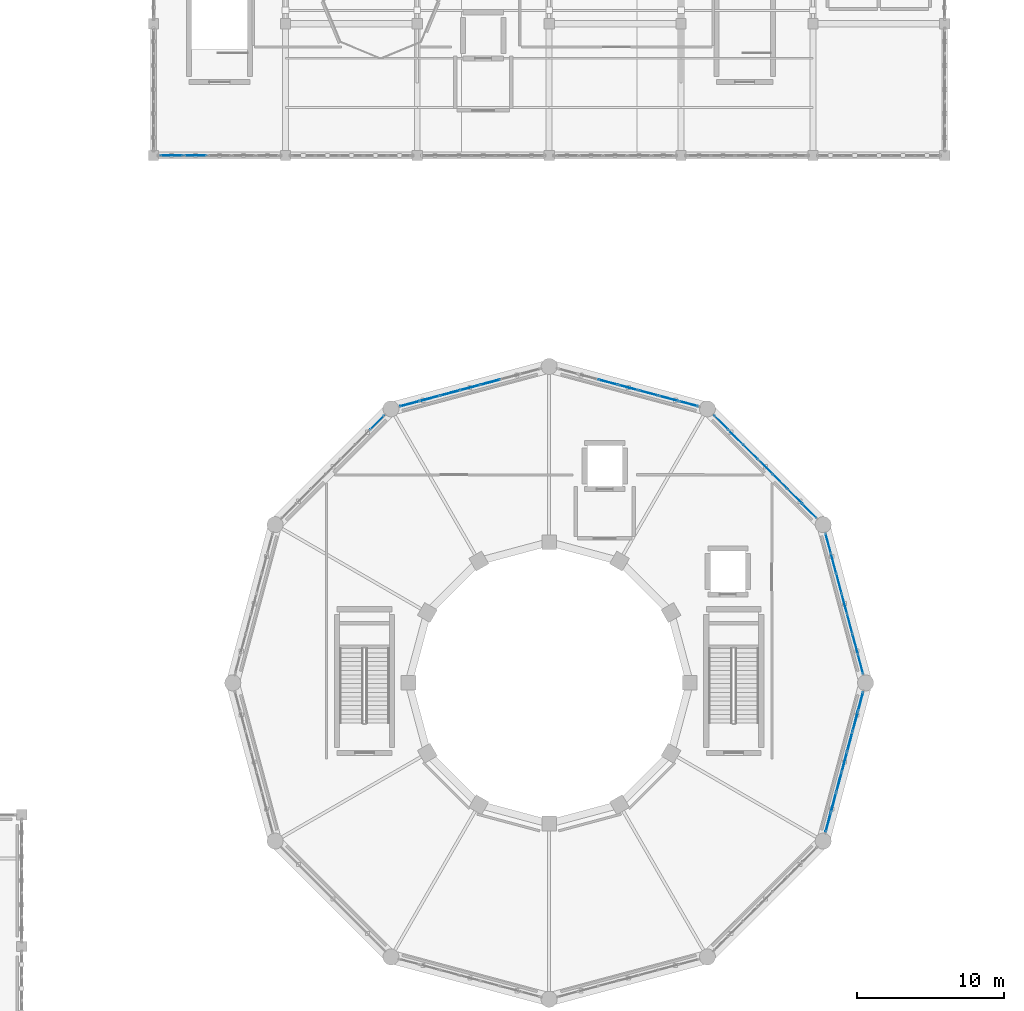
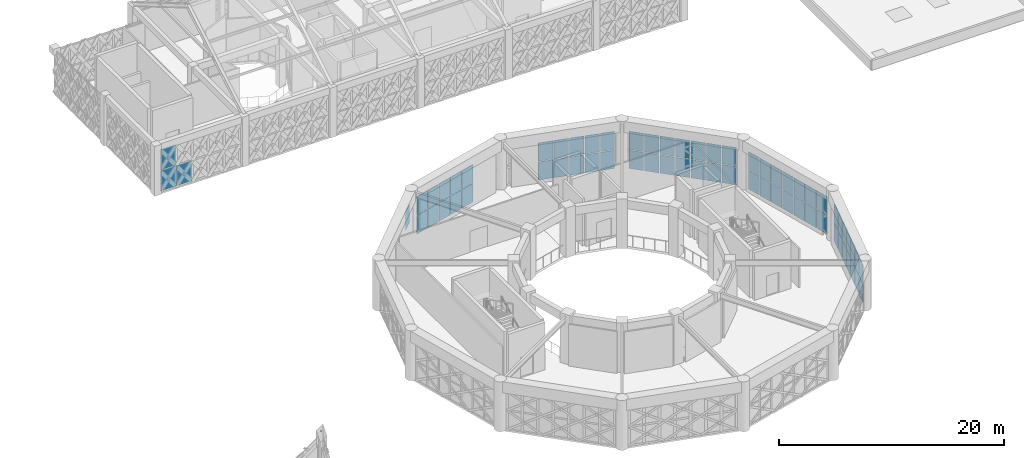
# One storey, part 60 of 72: 66 plates, 7 elements without a shape of their own.
"""IFC4 building model written with IfcOpenShell, lengths in metres."""

from ifc_helpers import new_model, si_unit, direction, frame, origin, origin_2d, place, context, subcontext, project, spatial, rectangle, extrude, material, layer, layer_set, type_object, element, aggregate, save


model = new_model("IFC4")

# Units and contexts
model_context = context("Model", 3, precision=1e-05, world=origin(), true_north=direction((0.0, 1.0)))
body_context = subcontext(model_context, "Body", "Model", "MODEL_VIEW")
ifc_project = project(units=[si_unit("LENGTHUNIT", "METRE"), si_unit("AREAUNIT", "SQUARE_METRE"), si_unit("VOLUMEUNIT", "CUBIC_METRE"), si_unit("PLANEANGLEUNIT", "RADIAN"), si_unit("MASSUNIT", "GRAM", prefix="KILO")], contexts=[model_context])

# Site, building, storey
site_placement = place(None, origin())
site = spatial("IfcSite", under=ifc_project, at=site_placement, CompositionType="ELEMENT")
building_placement = place(site_placement, origin())
building = spatial("IfcBuilding", under=site, at=building_placement, Name="Haizhuo Lancet Aquarium", CompositionType="ELEMENT")
storey_placement = place(building_placement, frame((0.0, 0.0, 21.60009765625)))
storey = spatial("IfcBuildingStorey", under=building, at=storey_placement, Name="L04", CompositionType="ELEMENT", Elevation=21.60009765625)

# Curtain wall, plates
ifc_material_1 = material(Name="Aluminium 6063-T6", Category="aluminium")
curtain_wall_type_1 = type_object("IfcCurtainWallType", Name="CWO-9990x4180", PredefinedType="NOTDEFINED", material=ifc_material_1)
curtain_wall_1_placement = place(storey_placement, origin())
curtain_wall_1 = element("IfcCurtainWall", 1, at=curtain_wall_1_placement, inside=storey, type_object=curtain_wall_type_1, Name="L04 curtain wall CW-V1-L04-01", PredefinedType="NOTDEFINED")
ifc_material_2 = material(Name="Laminated Low-E Glass", Category="glass")
ifc_layer_1 = layer(ifc_material_2, 0.028076171875)
ifc_layer_set_1 = layer_set([ifc_layer_1], Name="Laminated Low-E Glass")
plate_type_1 = type_object("IfcPlateType", Name="CW-PNL-1", PredefinedType="CURTAIN_PANEL", material=ifc_layer_set_1)
plate_1_placement = place(storey_placement, frame((19.049072265625, 9.52001953125, 0.06494140625), z_axis=(0.0, 0.0, 1.0), x_axis=(0.258852762117, -0.965916791212, 0.0)))
plate_1 = element("IfcPlate", 2, at=plate_1_placement, type_object=plate_type_1, Name="CWO-99x41 panel 1.1", PredefinedType="CURTAIN_PANEL", context=body_context, shape_type="SweptSolid", body=[
    extrude(rectangle(XDim=1.330078125, YDim=0.028076171875, at=origin_2d()), origin(), (0.0, 0.0, 1.0), 1.99609375),
])
plate_2_placement = place(storey_placement, frame((19.049072265625, 9.52001953125, 2.125244140625), z_axis=(0.0, 0.0, 1.0), x_axis=(0.258852762117, -0.965916791212, 0.0)))
plate_2 = element("IfcPlate", 3, at=plate_2_placement, type_object=plate_type_1, Name="CWO-99x41 panel 1.2", PredefinedType="CURTAIN_PANEL", context=body_context, shape_type="SweptSolid", body=[
    extrude(rectangle(XDim=1.330078125, YDim=0.028076171875, at=origin_2d()), origin(), (0.0, 0.0, 1.0), 1.9951171875),
])
plate_3_placement = place(storey_placement, frame((19.4140625, 8.156982421875, 0.06494140625), z_axis=(0.0, 0.0, 1.0), x_axis=(0.258852762117, -0.965916791212, 0.0)))
plate_3 = element("IfcPlate", 4, at=plate_3_placement, type_object=plate_type_1, Name="CWO-99x41 panel 2.1", PredefinedType="CURTAIN_PANEL", context=body_context, shape_type="SweptSolid", body=[
    extrude(rectangle(XDim=1.362060546875, YDim=0.028076171875, at=origin_2d()), origin(), (0.0, 0.0, 1.0), 1.99609375),
])
plate_4_placement = place(storey_placement, frame((19.4140625, 8.156982421875, 2.125244140625), z_axis=(0.0, 0.0, 1.0), x_axis=(0.258852762117, -0.965916791212, 0.0)))
plate_4 = element("IfcPlate", 5, at=plate_4_placement, type_object=plate_type_1, Name="CWO-99x41 panel 2.2", PredefinedType="CURTAIN_PANEL", context=body_context, shape_type="SweptSolid", body=[
    extrude(rectangle(XDim=1.362060546875, YDim=0.028076171875, at=origin_2d()), origin(), (0.0, 0.0, 1.0), 1.9951171875),
])
plate_5_placement = place(storey_placement, frame((19.783935546875, 6.779052734375, 0.06494140625), z_axis=(0.0, 0.0, 1.0), x_axis=(0.258852762117, -0.965916791212, 0.0)))
plate_5 = element("IfcPlate", 6, at=plate_5_placement, type_object=plate_type_1, Name="CWO-99x41 panel 3.1", PredefinedType="CURTAIN_PANEL", context=body_context, shape_type="SweptSolid", body=[
    extrude(rectangle(XDim=1.362060546875, YDim=0.028076171875, at=origin_2d()), origin(), (0.0, 0.0, 1.0), 1.99609375),
])
plate_6_placement = place(storey_placement, frame((19.783935546875, 6.779052734375, 2.125244140625), z_axis=(0.0, 0.0, 1.0), x_axis=(0.258852762117, -0.965916791212, 0.0)))
plate_6 = element("IfcPlate", 7, at=plate_6_placement, type_object=plate_type_1, Name="CWO-99x41 panel 3.2", PredefinedType="CURTAIN_PANEL", context=body_context, shape_type="SweptSolid", body=[
    extrude(rectangle(XDim=1.362060546875, YDim=0.028076171875, at=origin_2d()), origin(), (0.0, 0.0, 1.0), 1.9951171875),
])
plate_7_placement = place(storey_placement, frame((20.153076171875, 5.39990234375, 0.06494140625), z_axis=(0.0, 0.0, 1.0), x_axis=(0.258852762117, -0.965916791212, 0.0)))
plate_7 = element("IfcPlate", 8, at=plate_7_placement, type_object=plate_type_1, Name="CWO-99x41 panel 4.1", PredefinedType="CURTAIN_PANEL", context=body_context, shape_type="SweptSolid", body=[
    extrude(rectangle(XDim=1.362060546875, YDim=0.028076171875, at=origin_2d()), origin(), (0.0, 0.0, 1.0), 1.99609375),
])
plate_8_placement = place(storey_placement, frame((20.153076171875, 5.39990234375, 2.125244140625), z_axis=(0.0, 0.0, 1.0), x_axis=(0.258852762117, -0.965916791212, 0.0)))
plate_8 = element("IfcPlate", 9, at=plate_8_placement, type_object=plate_type_1, Name="CWO-99x41 panel 4.2", PredefinedType="CURTAIN_PANEL", context=body_context, shape_type="SweptSolid", body=[
    extrude(rectangle(XDim=1.362060546875, YDim=0.028076171875, at=origin_2d()), origin(), (0.0, 0.0, 1.0), 1.9951171875),
])
plate_9_placement = place(storey_placement, frame((20.52197265625, 4.02099609375, 0.06494140625), z_axis=(0.0, 0.0, 1.0), x_axis=(0.258852762117, -0.965916791212, 0.0)))
plate_9 = element("IfcPlate", 10, at=plate_9_placement, type_object=plate_type_1, Name="CWO-99x41 panel 5.1", PredefinedType="CURTAIN_PANEL", context=body_context, shape_type="SweptSolid", body=[
    extrude(rectangle(XDim=1.362060546875, YDim=0.028076171875, at=origin_2d()), origin(), (0.0, 0.0, 1.0), 1.99609375),
])
plate_10_placement = place(storey_placement, frame((20.52197265625, 4.02099609375, 2.125244140625), z_axis=(0.0, 0.0, 1.0), x_axis=(0.258852762117, -0.965916791212, 0.0)))
plate_10 = element("IfcPlate", 11, at=plate_10_placement, type_object=plate_type_1, Name="CWO-99x41 panel 5.2", PredefinedType="CURTAIN_PANEL", context=body_context, shape_type="SweptSolid", body=[
    extrude(rectangle(XDim=1.362060546875, YDim=0.028076171875, at=origin_2d()), origin(), (0.0, 0.0, 1.0), 1.9951171875),
])
plate_11_placement = place(storey_placement, frame((20.89208984375, 2.64306640625, 0.06494140625), z_axis=(0.0, 0.0, 1.0), x_axis=(0.258852762117, -0.965916791212, 0.0)))
plate_11 = element("IfcPlate", 12, at=plate_11_placement, type_object=plate_type_1, Name="CWO-99x41 panel 6.1", PredefinedType="CURTAIN_PANEL", context=body_context, shape_type="SweptSolid", body=[
    extrude(rectangle(XDim=1.362060546875, YDim=0.028076171875, at=origin_2d()), origin(), (0.0, 0.0, 1.0), 1.99609375),
])
plate_12_placement = place(storey_placement, frame((20.89208984375, 2.64306640625, 2.125244140625), z_axis=(0.0, 0.0, 1.0), x_axis=(0.258852762117, -0.965916791212, 0.0)))
plate_12 = element("IfcPlate", 13, at=plate_12_placement, type_object=plate_type_1, Name="CWO-99x41 panel 6.2", PredefinedType="CURTAIN_PANEL", context=body_context, shape_type="SweptSolid", body=[
    extrude(rectangle(XDim=1.362060546875, YDim=0.028076171875, at=origin_2d()), origin(), (0.0, 0.0, 1.0), 1.9951171875),
])
plate_13_placement = place(storey_placement, frame((21.257080078125, 1.280029296875, 0.06494140625), z_axis=(0.0, 0.0, 1.0), x_axis=(0.258852762117, -0.965916791212, 0.0)))
plate_13 = element("IfcPlate", 14, at=plate_13_placement, type_object=plate_type_1, Name="CWO-99x41 panel 7.1", PredefinedType="CURTAIN_PANEL", context=body_context, shape_type="SweptSolid", body=[
    extrude(rectangle(XDim=1.330078125, YDim=0.028076171875, at=origin_2d()), origin(), (0.0, 0.0, 1.0), 1.99609375),
])
plate_14_placement = place(storey_placement, frame((21.257080078125, 1.280029296875, 2.125244140625), z_axis=(0.0, 0.0, 1.0), x_axis=(0.258852762117, -0.965916791212, 0.0)))
plate_14 = element("IfcPlate", 15, at=plate_14_placement, type_object=plate_type_1, Name="CWO-99x41 panel 7.2", PredefinedType="CURTAIN_PANEL", context=body_context, shape_type="SweptSolid", body=[
    extrude(rectangle(XDim=1.330078125, YDim=0.028076171875, at=origin_2d()), origin(), (0.0, 0.0, 1.0), 1.9951171875),
])
aggregate(curtain_wall_1, [plate_1, plate_2, plate_3, plate_4, plate_5, plate_6, plate_7, plate_8, plate_9, plate_10, plate_11, plate_12, plate_13, plate_14])

# Curtain wall, plate
curtain_wall_2_placement = place(storey_placement, origin())
curtain_wall_2 = element("IfcCurtainWall", 16, at=curtain_wall_2_placement, inside=storey, type_object=curtain_wall_type_1, Name="L04 curtain wall CW-V1-L04-05", PredefinedType="NOTDEFINED")
plate_15_placement = place(storey_placement, frame((-11.739013671875, 17.76708984375, 2.13037109375), z_axis=(0.0, 0.0, 1.0), x_axis=(0.707106781187, 0.707106781187, 0.0)))
plate_15 = element("IfcPlate", 17, at=plate_15_placement, type_object=plate_type_1, Name="CWO-99x41 panel 7.2", PredefinedType="CURTAIN_PANEL", context=body_context, shape_type="SweptSolid", body=[
    extrude(rectangle(XDim=1.31494140625, YDim=0.028076171875, at=origin_2d()), origin(), (0.0, 0.0, 1.0), 1.97900390625),
])
aggregate(curtain_wall_2, [plate_15])

# Curtain wall, plates
curtain_wall_type_2 = type_object("IfcCurtainWallType", Name="CWD-8210x4650", PredefinedType="NOTDEFINED", material=ifc_material_1)
curtain_wall_3_placement = place(storey_placement, origin())
curtain_wall_3 = element("IfcCurtainWall", 18, at=curtain_wall_3_placement, inside=storey, type_object=curtain_wall_type_2, Name="L04 curtain wall CW-V5-L04-189", PredefinedType="NOTDEFINED")
plate_16_placement = place(storey_placement, frame((-24.14208984375, 36.0, 0.079345703125), z_axis=(0.0, 0.0, 1.0), x_axis=(-1.0, 0.0, 0.0)))
plate_16 = element("IfcPlate", 19, at=plate_16_placement, type_object=plate_type_1, Name="CWD-82x46 panel 4.1", PredefinedType="CURTAIN_PANEL", context=body_context, shape_type="SweptSolid", body=[
    extrude(rectangle(XDim=1.56201171875, YDim=0.028076171875, at=origin_2d()), origin(), (0.0, 0.0, 1.0), 2.205078125),
])
plate_17_placement = place(storey_placement, frame((-25.763916015625, 36.0, 0.079345703125), z_axis=(0.0, 0.0, 1.0), x_axis=(-1.0, 0.0, 0.0)))
plate_17 = element("IfcPlate", 20, at=plate_17_placement, type_object=plate_type_1, Name="CWD-82x46 panel 5.1", PredefinedType="CURTAIN_PANEL", context=body_context, shape_type="SweptSolid", body=[
    extrude(rectangle(XDim=1.52197265625, YDim=0.028076171875, at=origin_2d()), origin(), (0.0, 0.0, 1.0), 2.205078125),
])
plate_18_placement = place(storey_placement, frame((-25.763916015625, 36.0, 2.365478515625), z_axis=(0.0, 0.0, 1.0), x_axis=(-1.0, 0.0, 0.0)))
plate_18 = element("IfcPlate", 21, at=plate_18_placement, type_object=plate_type_1, Name="CWD-82x46 panel 5.2", PredefinedType="CURTAIN_PANEL", context=body_context, shape_type="SweptSolid", body=[
    extrude(rectangle(XDim=1.52197265625, YDim=0.028076171875, at=origin_2d()), origin(), (0.0, 0.0, 1.0), 2.205078125),
])
aggregate(curtain_wall_3, [plate_16, plate_17, plate_18])

curtain_wall_4_placement = place(storey_placement, origin())
curtain_wall_4 = element("IfcCurtainWall", 22, at=curtain_wall_4_placement, inside=storey, type_object=curtain_wall_type_1, Name="L04 curtain wall CW-V1-L04-02", PredefinedType="NOTDEFINED")
ifc_layer_2 = layer(ifc_material_2, 0.033935546875)
ifc_layer_set_2 = layer_set([ifc_layer_2], Name="Laminated Low-E Glass")
plate_type_2 = type_object("IfcPlateType", Name="CW-PNL-2", PredefinedType="CURTAIN_PANEL", material=ifc_layer_set_2)
plate_19_placement = place(storey_placement, frame((11.739013671875, 17.76708984375, 0.074951171875), z_axis=(0.0, 0.0, 1.0), x_axis=(0.707106781187, -0.707106781187, 0.0)))
plate_19 = element("IfcPlate", 23, at=plate_19_placement, type_object=plate_type_2, Name="CWO-99x41 panel 1.1", PredefinedType="CURTAIN_PANEL", context=body_context, shape_type="SweptSolid", body=[
    extrude(rectangle(XDim=1.31494140625, YDim=0.033935546875, at=origin_2d()), origin(), (0.0, 0.0, 1.0), 1.97998046875),
])
plate_20_placement = place(storey_placement, frame((11.739013671875, 17.76708984375, 2.13037109375), z_axis=(0.0, 0.0, 1.0), x_axis=(0.707106781187, -0.707106781187, 0.0)))
plate_20 = element("IfcPlate", 24, at=plate_20_placement, type_object=plate_type_2, Name="CWO-99x41 panel 1.2", PredefinedType="CURTAIN_PANEL", context=body_context, shape_type="SweptSolid", body=[
    extrude(rectangle(XDim=1.31494140625, YDim=0.033935546875, at=origin_2d()), origin(), (0.0, 0.0, 1.0), 1.97900390625),
])
plate_21_placement = place(storey_placement, frame((12.735107421875, 16.77099609375, 0.074951171875), z_axis=(0.0, 0.0, 1.0), x_axis=(0.707106781187, -0.707106781187, 0.0)))
plate_21 = element("IfcPlate", 25, at=plate_21_placement, type_object=plate_type_2, Name="CWO-99x41 panel 2.1", PredefinedType="CURTAIN_PANEL", context=body_context, shape_type="SweptSolid", body=[
    extrude(rectangle(XDim=1.35205078125, YDim=0.033935546875, at=origin_2d()), origin(), (0.0, 0.0, 1.0), 1.97998046875),
])
plate_22_placement = place(storey_placement, frame((12.735107421875, 16.77099609375, 2.13037109375), z_axis=(0.0, 0.0, 1.0), x_axis=(0.707106781187, -0.707106781187, 0.0)))
plate_22 = element("IfcPlate", 26, at=plate_22_placement, type_object=plate_type_2, Name="CWO-99x41 panel 2.2", PredefinedType="CURTAIN_PANEL", context=body_context, shape_type="SweptSolid", body=[
    extrude(rectangle(XDim=1.35205078125, YDim=0.033935546875, at=origin_2d()), origin(), (0.0, 0.0, 1.0), 1.97900390625),
])
plate_23_placement = place(storey_placement, frame((13.743896484375, 15.761962890625, 0.074951171875), z_axis=(0.0, 0.0, 1.0), x_axis=(0.707106781187, -0.707106781187, 0.0)))
plate_23 = element("IfcPlate", 27, at=plate_23_placement, type_object=plate_type_2, Name="CWO-99x41 panel 3.1", PredefinedType="CURTAIN_PANEL", context=body_context, shape_type="SweptSolid", body=[
    extrude(rectangle(XDim=1.35205078125, YDim=0.033935546875, at=origin_2d()), origin(), (0.0, 0.0, 1.0), 1.97998046875),
])
plate_24_placement = place(storey_placement, frame((13.743896484375, 15.761962890625, 2.13037109375), z_axis=(0.0, 0.0, 1.0), x_axis=(0.707106781187, -0.707106781187, 0.0)))
plate_24 = element("IfcPlate", 28, at=plate_24_placement, type_object=plate_type_2, Name="CWO-99x41 panel 3.2", PredefinedType="CURTAIN_PANEL", context=body_context, shape_type="SweptSolid", body=[
    extrude(rectangle(XDim=1.35205078125, YDim=0.033935546875, at=origin_2d()), origin(), (0.0, 0.0, 1.0), 1.97900390625),
])
plate_25_placement = place(storey_placement, frame((14.7529296875, 14.7529296875, 0.074951171875), z_axis=(0.0, 0.0, 1.0), x_axis=(0.707106781187, -0.707106781187, 0.0)))
plate_25 = element("IfcPlate", 29, at=plate_25_placement, type_object=plate_type_2, Name="CWO-99x41 panel 4.1", PredefinedType="CURTAIN_PANEL", context=body_context, shape_type="SweptSolid", body=[
    extrude(rectangle(XDim=1.35205078125, YDim=0.033935546875, at=origin_2d()), origin(), (0.0, 0.0, 1.0), 1.97998046875),
])
plate_26_placement = place(storey_placement, frame((14.7529296875, 14.7529296875, 2.13037109375), z_axis=(0.0, 0.0, 1.0), x_axis=(0.707106781187, -0.707106781187, 0.0)))
plate_26 = element("IfcPlate", 30, at=plate_26_placement, type_object=plate_type_2, Name="CWO-99x41 panel 4.2", PredefinedType="CURTAIN_PANEL", context=body_context, shape_type="SweptSolid", body=[
    extrude(rectangle(XDim=1.35205078125, YDim=0.033935546875, at=origin_2d()), origin(), (0.0, 0.0, 1.0), 1.97900390625),
])
plate_27_placement = place(storey_placement, frame((15.761962890625, 13.743896484375, 0.074951171875), z_axis=(0.0, 0.0, 1.0), x_axis=(0.707106781187, -0.707106781187, 0.0)))
plate_27 = element("IfcPlate", 31, at=plate_27_placement, type_object=plate_type_2, Name="CWO-99x41 panel 5.1", PredefinedType="CURTAIN_PANEL", context=body_context, shape_type="SweptSolid", body=[
    extrude(rectangle(XDim=1.35205078125, YDim=0.033935546875, at=origin_2d()), origin(), (0.0, 0.0, 1.0), 1.97998046875),
])
plate_28_placement = place(storey_placement, frame((15.761962890625, 13.743896484375, 2.13037109375), z_axis=(0.0, 0.0, 1.0), x_axis=(0.707106781187, -0.707106781187, 0.0)))
plate_28 = element("IfcPlate", 32, at=plate_28_placement, type_object=plate_type_2, Name="CWO-99x41 panel 5.2", PredefinedType="CURTAIN_PANEL", context=body_context, shape_type="SweptSolid", body=[
    extrude(rectangle(XDim=1.35205078125, YDim=0.033935546875, at=origin_2d()), origin(), (0.0, 0.0, 1.0), 1.97900390625),
])
plate_29_placement = place(storey_placement, frame((16.77099609375, 12.735107421875, 0.074951171875), z_axis=(0.0, 0.0, 1.0), x_axis=(0.707106781187, -0.707106781187, 0.0)))
plate_29 = element("IfcPlate", 33, at=plate_29_placement, type_object=plate_type_2, Name="CWO-99x41 panel 6.1", PredefinedType="CURTAIN_PANEL", context=body_context, shape_type="SweptSolid", body=[
    extrude(rectangle(XDim=1.35205078125, YDim=0.033935546875, at=origin_2d()), origin(), (0.0, 0.0, 1.0), 1.97998046875),
])
plate_30_placement = place(storey_placement, frame((16.77099609375, 12.735107421875, 2.13037109375), z_axis=(0.0, 0.0, 1.0), x_axis=(0.707106781187, -0.707106781187, 0.0)))
plate_30 = element("IfcPlate", 34, at=plate_30_placement, type_object=plate_type_2, Name="CWO-99x41 panel 6.2", PredefinedType="CURTAIN_PANEL", context=body_context, shape_type="SweptSolid", body=[
    extrude(rectangle(XDim=1.35205078125, YDim=0.033935546875, at=origin_2d()), origin(), (0.0, 0.0, 1.0), 1.97900390625),
])
plate_31_placement = place(storey_placement, frame((17.76708984375, 11.739013671875, 0.074951171875), z_axis=(0.0, 0.0, 1.0), x_axis=(0.707106781187, -0.707106781187, 0.0)))
plate_31 = element("IfcPlate", 35, at=plate_31_placement, type_object=plate_type_2, Name="CWO-99x41 panel 7.1", PredefinedType="CURTAIN_PANEL", context=body_context, shape_type="SweptSolid", body=[
    extrude(rectangle(XDim=1.31494140625, YDim=0.033935546875, at=origin_2d()), origin(), (0.0, 0.0, 1.0), 1.97998046875),
])
plate_32_placement = place(storey_placement, frame((17.76708984375, 11.739013671875, 2.13037109375), z_axis=(0.0, 0.0, 1.0), x_axis=(0.707106781187, -0.707106781187, 0.0)))
plate_32 = element("IfcPlate", 36, at=plate_32_placement, type_object=plate_type_2, Name="CWO-99x41 panel 7.2", PredefinedType="CURTAIN_PANEL", context=body_context, shape_type="SweptSolid", body=[
    extrude(rectangle(XDim=1.31494140625, YDim=0.033935546875, at=origin_2d()), origin(), (0.0, 0.0, 1.0), 1.97900390625),
])
aggregate(curtain_wall_4, [plate_19, plate_20, plate_21, plate_22, plate_23, plate_24, plate_25, plate_26, plate_27, plate_28, plate_29, plate_30, plate_31, plate_32])

curtain_wall_5_placement = place(storey_placement, origin())
curtain_wall_5 = element("IfcCurtainWall", 37, at=curtain_wall_5_placement, inside=storey, type_object=curtain_wall_type_1, Name="L04 curtain wall CW-V1-L04-03", PredefinedType="NOTDEFINED")
ifc_layer_3 = layer(ifc_material_2, 0.0419921875)
ifc_layer_set_3 = layer_set([ifc_layer_3], Name="Laminated Low-E Glass")
plate_type_3 = type_object("IfcPlateType", Name="CW-PNL-3", PredefinedType="CURTAIN_PANEL", material=ifc_layer_set_3)
plate_33_placement = place(storey_placement, frame((4.02099609375, 20.52197265625, 0.07958984375), z_axis=(0.0, 0.0, 1.0), x_axis=(0.965916791212, -0.258852762117, 0.0)))
plate_33 = element("IfcPlate", 38, at=plate_33_placement, type_object=plate_type_3, Name="CWO-99x41 panel 3.1", PredefinedType="CURTAIN_PANEL", context=body_context, shape_type="SweptSolid", body=[
    extrude(rectangle(XDim=1.346923828125, YDim=0.0419921875, at=origin_2d()), origin(), (0.0, 0.0, 1.0), 1.972900390625),
])
plate_34_placement = place(storey_placement, frame((4.02099609375, 20.52197265625, 2.1328125), z_axis=(0.0, 0.0, 1.0), x_axis=(0.965916791212, -0.258852762117, 0.0)))
plate_34 = element("IfcPlate", 39, at=plate_34_placement, type_object=plate_type_3, Name="CWO-99x41 panel 3.2", PredefinedType="CURTAIN_PANEL", context=body_context, shape_type="SweptSolid", body=[
    extrude(rectangle(XDim=1.346923828125, YDim=0.0419921875, at=origin_2d()), origin(), (0.0, 0.0, 1.0), 1.971923828125),
])
plate_35_placement = place(storey_placement, frame((5.39990234375, 20.153076171875, 0.07958984375), z_axis=(0.0, 0.0, 1.0), x_axis=(0.965916791212, -0.258852762117, 0.0)))
plate_35 = element("IfcPlate", 40, at=plate_35_placement, type_object=plate_type_3, Name="CWO-99x41 panel 4.1", PredefinedType="CURTAIN_PANEL", context=body_context, shape_type="SweptSolid", body=[
    extrude(rectangle(XDim=1.346923828125, YDim=0.0419921875, at=origin_2d()), origin(), (0.0, 0.0, 1.0), 1.972900390625),
])
plate_36_placement = place(storey_placement, frame((5.39990234375, 20.153076171875, 2.1328125), z_axis=(0.0, 0.0, 1.0), x_axis=(0.965916791212, -0.258852762117, 0.0)))
plate_36 = element("IfcPlate", 41, at=plate_36_placement, type_object=plate_type_3, Name="CWO-99x41 panel 4.2", PredefinedType="CURTAIN_PANEL", context=body_context, shape_type="SweptSolid", body=[
    extrude(rectangle(XDim=1.346923828125, YDim=0.0419921875, at=origin_2d()), origin(), (0.0, 0.0, 1.0), 1.971923828125),
])
plate_37_placement = place(storey_placement, frame((6.779052734375, 19.783935546875, 0.07958984375), z_axis=(0.0, 0.0, 1.0), x_axis=(0.965916791212, -0.258852762117, 0.0)))
plate_37 = element("IfcPlate", 42, at=plate_37_placement, type_object=plate_type_3, Name="CWO-99x41 panel 5.1", PredefinedType="CURTAIN_PANEL", context=body_context, shape_type="SweptSolid", body=[
    extrude(rectangle(XDim=1.346923828125, YDim=0.0419921875, at=origin_2d()), origin(), (0.0, 0.0, 1.0), 1.972900390625),
])
plate_38_placement = place(storey_placement, frame((6.779052734375, 19.783935546875, 2.1328125), z_axis=(0.0, 0.0, 1.0), x_axis=(0.965916791212, -0.258852762117, 0.0)))
plate_38 = element("IfcPlate", 43, at=plate_38_placement, type_object=plate_type_3, Name="CWO-99x41 panel 5.2", PredefinedType="CURTAIN_PANEL", context=body_context, shape_type="SweptSolid", body=[
    extrude(rectangle(XDim=1.346923828125, YDim=0.0419921875, at=origin_2d()), origin(), (0.0, 0.0, 1.0), 1.971923828125),
])
plate_39_placement = place(storey_placement, frame((8.156982421875, 19.4140625, 0.07958984375), z_axis=(0.0, 0.0, 1.0), x_axis=(0.965916791212, -0.258852762117, 0.0)))
plate_39 = element("IfcPlate", 44, at=plate_39_placement, type_object=plate_type_3, Name="CWO-99x41 panel 6.1", PredefinedType="CURTAIN_PANEL", context=body_context, shape_type="SweptSolid", body=[
    extrude(rectangle(XDim=1.346923828125, YDim=0.0419921875, at=origin_2d()), origin(), (0.0, 0.0, 1.0), 1.972900390625),
])
plate_40_placement = place(storey_placement, frame((8.156982421875, 19.4140625, 2.1328125), z_axis=(0.0, 0.0, 1.0), x_axis=(0.965916791212, -0.258852762117, 0.0)))
plate_40 = element("IfcPlate", 45, at=plate_40_placement, type_object=plate_type_3, Name="CWO-99x41 panel 6.2", PredefinedType="CURTAIN_PANEL", context=body_context, shape_type="SweptSolid", body=[
    extrude(rectangle(XDim=1.346923828125, YDim=0.0419921875, at=origin_2d()), origin(), (0.0, 0.0, 1.0), 1.971923828125),
])
plate_41_placement = place(storey_placement, frame((9.51611328125, 19.050048828125, 0.07958984375), z_axis=(0.0, 0.0, 1.0), x_axis=(0.965916791212, -0.258852762117, 0.0)))
plate_41 = element("IfcPlate", 46, at=plate_41_placement, type_object=plate_type_3, Name="CWO-99x41 panel 7.1", PredefinedType="CURTAIN_PANEL", context=body_context, shape_type="SweptSolid", body=[
    extrude(rectangle(XDim=1.306884765625, YDim=0.0419921875, at=origin_2d()), origin(), (0.0, 0.0, 1.0), 1.972900390625),
])
plate_42_placement = place(storey_placement, frame((9.51611328125, 19.050048828125, 2.1328125), z_axis=(0.0, 0.0, 1.0), x_axis=(0.965916791212, -0.258852762117, 0.0)))
plate_42 = element("IfcPlate", 47, at=plate_42_placement, type_object=plate_type_3, Name="CWO-99x41 panel 7.2", PredefinedType="CURTAIN_PANEL", context=body_context, shape_type="SweptSolid", body=[
    extrude(rectangle(XDim=1.306884765625, YDim=0.0419921875, at=origin_2d()), origin(), (0.0, 0.0, 1.0), 1.971923828125),
])
aggregate(curtain_wall_5, [plate_33, plate_34, plate_35, plate_36, plate_37, plate_38, plate_39, plate_40, plate_41, plate_42])

curtain_wall_6_placement = place(storey_placement, origin())
curtain_wall_6 = element("IfcCurtainWall", 48, at=curtain_wall_6_placement, inside=storey, type_object=curtain_wall_type_1, Name="L04 curtain wall CW-V1-L04-04", PredefinedType="NOTDEFINED")
ifc_layer_4 = layer(ifc_material_2, 0.052001953125)
ifc_layer_set_4 = layer_set([ifc_layer_4], Name="Laminated Low-E Glass")
plate_type_4 = type_object("IfcPlateType", Name="CW-PNL-4", PredefinedType="CURTAIN_PANEL", material=ifc_layer_set_4)
plate_43_placement = place(storey_placement, frame((-9.52001953125, 19.049072265625, 0.06494140625), z_axis=(0.0, 0.0, 1.0), x_axis=(0.965916791212, 0.258852762117, 0.0)))
plate_43 = element("IfcPlate", 49, at=plate_43_placement, type_object=plate_type_4, Name="CWO-99x41 panel 1.1", PredefinedType="CURTAIN_PANEL", context=body_context, shape_type="SweptSolid", body=[
    extrude(rectangle(XDim=1.330078125, YDim=0.052001953125, at=origin_2d()), origin(), (0.0, 0.0, 1.0), 1.99609375),
])
plate_44_placement = place(storey_placement, frame((-9.52001953125, 19.049072265625, 2.125244140625), z_axis=(0.0, 0.0, 1.0), x_axis=(0.965916791212, 0.258852762117, 0.0)))
plate_44 = element("IfcPlate", 50, at=plate_44_placement, type_object=plate_type_4, Name="CWO-99x41 panel 1.2", PredefinedType="CURTAIN_PANEL", context=body_context, shape_type="SweptSolid", body=[
    extrude(rectangle(XDim=1.330078125, YDim=0.052001953125, at=origin_2d()), origin(), (0.0, 0.0, 1.0), 1.9951171875),
])
plate_45_placement = place(storey_placement, frame((-8.156982421875, 19.4140625, 0.06494140625), z_axis=(0.0, 0.0, 1.0), x_axis=(0.965916791212, 0.258852762117, 0.0)))
plate_45 = element("IfcPlate", 51, at=plate_45_placement, type_object=plate_type_4, Name="CWO-99x41 panel 2.1", PredefinedType="CURTAIN_PANEL", context=body_context, shape_type="SweptSolid", body=[
    extrude(rectangle(XDim=1.362060546875, YDim=0.052001953125, at=origin_2d()), origin(), (0.0, 0.0, 1.0), 1.99609375),
])
plate_46_placement = place(storey_placement, frame((-8.156982421875, 19.4140625, 2.125244140625), z_axis=(0.0, 0.0, 1.0), x_axis=(0.965916791212, 0.258852762117, 0.0)))
plate_46 = element("IfcPlate", 52, at=plate_46_placement, type_object=plate_type_4, Name="CWO-99x41 panel 2.2", PredefinedType="CURTAIN_PANEL", context=body_context, shape_type="SweptSolid", body=[
    extrude(rectangle(XDim=1.362060546875, YDim=0.052001953125, at=origin_2d()), origin(), (0.0, 0.0, 1.0), 1.9951171875),
])
plate_47_placement = place(storey_placement, frame((-6.779052734375, 19.783935546875, 0.06494140625), z_axis=(0.0, 0.0, 1.0), x_axis=(0.965916791212, 0.258852762117, 0.0)))
plate_47 = element("IfcPlate", 53, at=plate_47_placement, type_object=plate_type_4, Name="CWO-99x41 panel 3.1", PredefinedType="CURTAIN_PANEL", context=body_context, shape_type="SweptSolid", body=[
    extrude(rectangle(XDim=1.362060546875, YDim=0.052001953125, at=origin_2d()), origin(), (0.0, 0.0, 1.0), 1.99609375),
])
plate_48_placement = place(storey_placement, frame((-6.779052734375, 19.783935546875, 2.125244140625), z_axis=(0.0, 0.0, 1.0), x_axis=(0.965916791212, 0.258852762117, 0.0)))
plate_48 = element("IfcPlate", 54, at=plate_48_placement, type_object=plate_type_4, Name="CWO-99x41 panel 3.2", PredefinedType="CURTAIN_PANEL", context=body_context, shape_type="SweptSolid", body=[
    extrude(rectangle(XDim=1.362060546875, YDim=0.052001953125, at=origin_2d()), origin(), (0.0, 0.0, 1.0), 1.9951171875),
])
plate_49_placement = place(storey_placement, frame((-5.39990234375, 20.153076171875, 0.06494140625), z_axis=(0.0, 0.0, 1.0), x_axis=(0.965916791212, 0.258852762117, 0.0)))
plate_49 = element("IfcPlate", 55, at=plate_49_placement, type_object=plate_type_4, Name="CWO-99x41 panel 4.1", PredefinedType="CURTAIN_PANEL", context=body_context, shape_type="SweptSolid", body=[
    extrude(rectangle(XDim=1.362060546875, YDim=0.052001953125, at=origin_2d()), origin(), (0.0, 0.0, 1.0), 1.99609375),
])
plate_50_placement = place(storey_placement, frame((-5.39990234375, 20.153076171875, 2.125244140625), z_axis=(0.0, 0.0, 1.0), x_axis=(0.965916791212, 0.258852762117, 0.0)))
plate_50 = element("IfcPlate", 56, at=plate_50_placement, type_object=plate_type_4, Name="CWO-99x41 panel 4.2", PredefinedType="CURTAIN_PANEL", context=body_context, shape_type="SweptSolid", body=[
    extrude(rectangle(XDim=1.362060546875, YDim=0.052001953125, at=origin_2d()), origin(), (0.0, 0.0, 1.0), 1.9951171875),
])
plate_51_placement = place(storey_placement, frame((-4.02099609375, 20.52197265625, 0.06494140625), z_axis=(0.0, 0.0, 1.0), x_axis=(0.965916791212, 0.258852762117, 0.0)))
plate_51 = element("IfcPlate", 57, at=plate_51_placement, type_object=plate_type_4, Name="CWO-99x41 panel 5.1", PredefinedType="CURTAIN_PANEL", context=body_context, shape_type="SweptSolid", body=[
    extrude(rectangle(XDim=1.362060546875, YDim=0.052001953125, at=origin_2d()), origin(), (0.0, 0.0, 1.0), 1.99609375),
])
plate_52_placement = place(storey_placement, frame((-4.02099609375, 20.52197265625, 2.125244140625), z_axis=(0.0, 0.0, 1.0), x_axis=(0.965916791212, 0.258852762117, 0.0)))
plate_52 = element("IfcPlate", 58, at=plate_52_placement, type_object=plate_type_4, Name="CWO-99x41 panel 5.2", PredefinedType="CURTAIN_PANEL", context=body_context, shape_type="SweptSolid", body=[
    extrude(rectangle(XDim=1.362060546875, YDim=0.052001953125, at=origin_2d()), origin(), (0.0, 0.0, 1.0), 1.9951171875),
])
aggregate(curtain_wall_6, [plate_43, plate_44, plate_45, plate_46, plate_47, plate_48, plate_49, plate_50, plate_51, plate_52])

curtain_wall_7_placement = place(storey_placement, origin())
curtain_wall_7 = element("IfcCurtainWall", 59, at=curtain_wall_7_placement, inside=storey, type_object=curtain_wall_type_1, Name="L04 curtain wall CW-V1-L04-12", PredefinedType="NOTDEFINED")
plate_53_placement = place(storey_placement, frame((21.256103515625, -1.283935546875, 0.07958984375), z_axis=(0.0, 0.0, 1.0), x_axis=(-0.258852762117, -0.965916791212, 0.0)))
plate_53 = element("IfcPlate", 60, at=plate_53_placement, type_object=plate_type_4, Name="CWO-99x41 panel 1.1", PredefinedType="CURTAIN_PANEL", context=body_context, shape_type="SweptSolid", body=[
    extrude(rectangle(XDim=1.306884765625, YDim=0.052001953125, at=origin_2d()), origin(), (0.0, 0.0, 1.0), 1.972900390625),
])
plate_54_placement = place(storey_placement, frame((21.256103515625, -1.283935546875, 2.1328125), z_axis=(0.0, 0.0, 1.0), x_axis=(-0.258852762117, -0.965916791212, 0.0)))
plate_54 = element("IfcPlate", 61, at=plate_54_placement, type_object=plate_type_4, Name="CWO-99x41 panel 1.2", PredefinedType="CURTAIN_PANEL", context=body_context, shape_type="SweptSolid", body=[
    extrude(rectangle(XDim=1.306884765625, YDim=0.052001953125, at=origin_2d()), origin(), (0.0, 0.0, 1.0), 1.971923828125),
])
plate_55_placement = place(storey_placement, frame((20.89208984375, -2.64306640625, 0.07958984375), z_axis=(0.0, 0.0, 1.0), x_axis=(-0.258852762117, -0.965916791212, 0.0)))
plate_55 = element("IfcPlate", 62, at=plate_55_placement, type_object=plate_type_4, Name="CWO-99x41 panel 2.1", PredefinedType="CURTAIN_PANEL", context=body_context, shape_type="SweptSolid", body=[
    extrude(rectangle(XDim=1.346923828125, YDim=0.052001953125, at=origin_2d()), origin(), (0.0, 0.0, 1.0), 1.972900390625),
])
plate_56_placement = place(storey_placement, frame((20.89208984375, -2.64306640625, 2.1328125), z_axis=(0.0, 0.0, 1.0), x_axis=(-0.258852762117, -0.965916791212, 0.0)))
plate_56 = element("IfcPlate", 63, at=plate_56_placement, type_object=plate_type_4, Name="CWO-99x41 panel 2.2", PredefinedType="CURTAIN_PANEL", context=body_context, shape_type="SweptSolid", body=[
    extrude(rectangle(XDim=1.346923828125, YDim=0.052001953125, at=origin_2d()), origin(), (0.0, 0.0, 1.0), 1.971923828125),
])
plate_57_placement = place(storey_placement, frame((20.52197265625, -4.02099609375, 0.07958984375), z_axis=(0.0, 0.0, 1.0), x_axis=(-0.258852762117, -0.965916791212, 0.0)))
plate_57 = element("IfcPlate", 64, at=plate_57_placement, type_object=plate_type_4, Name="CWO-99x41 panel 3.1", PredefinedType="CURTAIN_PANEL", context=body_context, shape_type="SweptSolid", body=[
    extrude(rectangle(XDim=1.346923828125, YDim=0.052001953125, at=origin_2d()), origin(), (0.0, 0.0, 1.0), 1.972900390625),
])
plate_58_placement = place(storey_placement, frame((20.52197265625, -4.02099609375, 2.1328125), z_axis=(0.0, 0.0, 1.0), x_axis=(-0.258852762117, -0.965916791212, 0.0)))
plate_58 = element("IfcPlate", 65, at=plate_58_placement, type_object=plate_type_4, Name="CWO-99x41 panel 3.2", PredefinedType="CURTAIN_PANEL", context=body_context, shape_type="SweptSolid", body=[
    extrude(rectangle(XDim=1.346923828125, YDim=0.052001953125, at=origin_2d()), origin(), (0.0, 0.0, 1.0), 1.971923828125),
])
plate_59_placement = place(storey_placement, frame((20.153076171875, -5.39990234375, 0.07958984375), z_axis=(0.0, 0.0, 1.0), x_axis=(-0.258852762117, -0.965916791212, 0.0)))
plate_59 = element("IfcPlate", 66, at=plate_59_placement, type_object=plate_type_4, Name="CWO-99x41 panel 4.1", PredefinedType="CURTAIN_PANEL", context=body_context, shape_type="SweptSolid", body=[
    extrude(rectangle(XDim=1.346923828125, YDim=0.052001953125, at=origin_2d()), origin(), (0.0, 0.0, 1.0), 1.972900390625),
])
plate_60_placement = place(storey_placement, frame((20.153076171875, -5.39990234375, 2.1328125), z_axis=(0.0, 0.0, 1.0), x_axis=(-0.258852762117, -0.965916791212, 0.0)))
plate_60 = element("IfcPlate", 67, at=plate_60_placement, type_object=plate_type_4, Name="CWO-99x41 panel 4.2", PredefinedType="CURTAIN_PANEL", context=body_context, shape_type="SweptSolid", body=[
    extrude(rectangle(XDim=1.346923828125, YDim=0.052001953125, at=origin_2d()), origin(), (0.0, 0.0, 1.0), 1.971923828125),
])
plate_61_placement = place(storey_placement, frame((19.783935546875, -6.779052734375, 0.07958984375), z_axis=(0.0, 0.0, 1.0), x_axis=(-0.258852762117, -0.965916791212, 0.0)))
plate_61 = element("IfcPlate", 68, at=plate_61_placement, type_object=plate_type_4, Name="CWO-99x41 panel 5.1", PredefinedType="CURTAIN_PANEL", context=body_context, shape_type="SweptSolid", body=[
    extrude(rectangle(XDim=1.346923828125, YDim=0.052001953125, at=origin_2d()), origin(), (0.0, 0.0, 1.0), 1.972900390625),
])
plate_62_placement = place(storey_placement, frame((19.783935546875, -6.779052734375, 2.1328125), z_axis=(0.0, 0.0, 1.0), x_axis=(-0.258852762117, -0.965916791212, 0.0)))
plate_62 = element("IfcPlate", 69, at=plate_62_placement, type_object=plate_type_4, Name="CWO-99x41 panel 5.2", PredefinedType="CURTAIN_PANEL", context=body_context, shape_type="SweptSolid", body=[
    extrude(rectangle(XDim=1.346923828125, YDim=0.052001953125, at=origin_2d()), origin(), (0.0, 0.0, 1.0), 1.971923828125),
])
plate_63_placement = place(storey_placement, frame((19.4140625, -8.156982421875, 0.07958984375), z_axis=(0.0, 0.0, 1.0), x_axis=(-0.258852762117, -0.965916791212, 0.0)))
plate_63 = element("IfcPlate", 70, at=plate_63_placement, type_object=plate_type_4, Name="CWO-99x41 panel 6.1", PredefinedType="CURTAIN_PANEL", context=body_context, shape_type="SweptSolid", body=[
    extrude(rectangle(XDim=1.346923828125, YDim=0.052001953125, at=origin_2d()), origin(), (0.0, 0.0, 1.0), 1.972900390625),
])
plate_64_placement = place(storey_placement, frame((19.4140625, -8.156982421875, 2.1328125), z_axis=(0.0, 0.0, 1.0), x_axis=(-0.258852762117, -0.965916791212, 0.0)))
plate_64 = element("IfcPlate", 71, at=plate_64_placement, type_object=plate_type_4, Name="CWO-99x41 panel 6.2", PredefinedType="CURTAIN_PANEL", context=body_context, shape_type="SweptSolid", body=[
    extrude(rectangle(XDim=1.346923828125, YDim=0.052001953125, at=origin_2d()), origin(), (0.0, 0.0, 1.0), 1.971923828125),
])
plate_65_placement = place(storey_placement, frame((19.050048828125, -9.51611328125, 0.07958984375), z_axis=(0.0, 0.0, 1.0), x_axis=(-0.258852762117, -0.965916791212, 0.0)))
plate_65 = element("IfcPlate", 72, at=plate_65_placement, type_object=plate_type_4, Name="CWO-99x41 panel 7.1", PredefinedType="CURTAIN_PANEL", context=body_context, shape_type="SweptSolid", body=[
    extrude(rectangle(XDim=1.306884765625, YDim=0.052001953125, at=origin_2d()), origin(), (0.0, 0.0, 1.0), 1.972900390625),
])
plate_66_placement = place(storey_placement, frame((19.050048828125, -9.51611328125, 2.1328125), z_axis=(0.0, 0.0, 1.0), x_axis=(-0.258852762117, -0.965916791212, 0.0)))
plate_66 = element("IfcPlate", 73, at=plate_66_placement, type_object=plate_type_4, Name="CWO-99x41 panel 7.2", PredefinedType="CURTAIN_PANEL", context=body_context, shape_type="SweptSolid", body=[
    extrude(rectangle(XDim=1.306884765625, YDim=0.052001953125, at=origin_2d()), origin(), (0.0, 0.0, 1.0), 1.971923828125),
])
aggregate(curtain_wall_7, [plate_53, plate_54, plate_55, plate_56, plate_57, plate_58, plate_59, plate_60, plate_61, plate_62, plate_63, plate_64, plate_65, plate_66])

save(model, "model.ifc")
